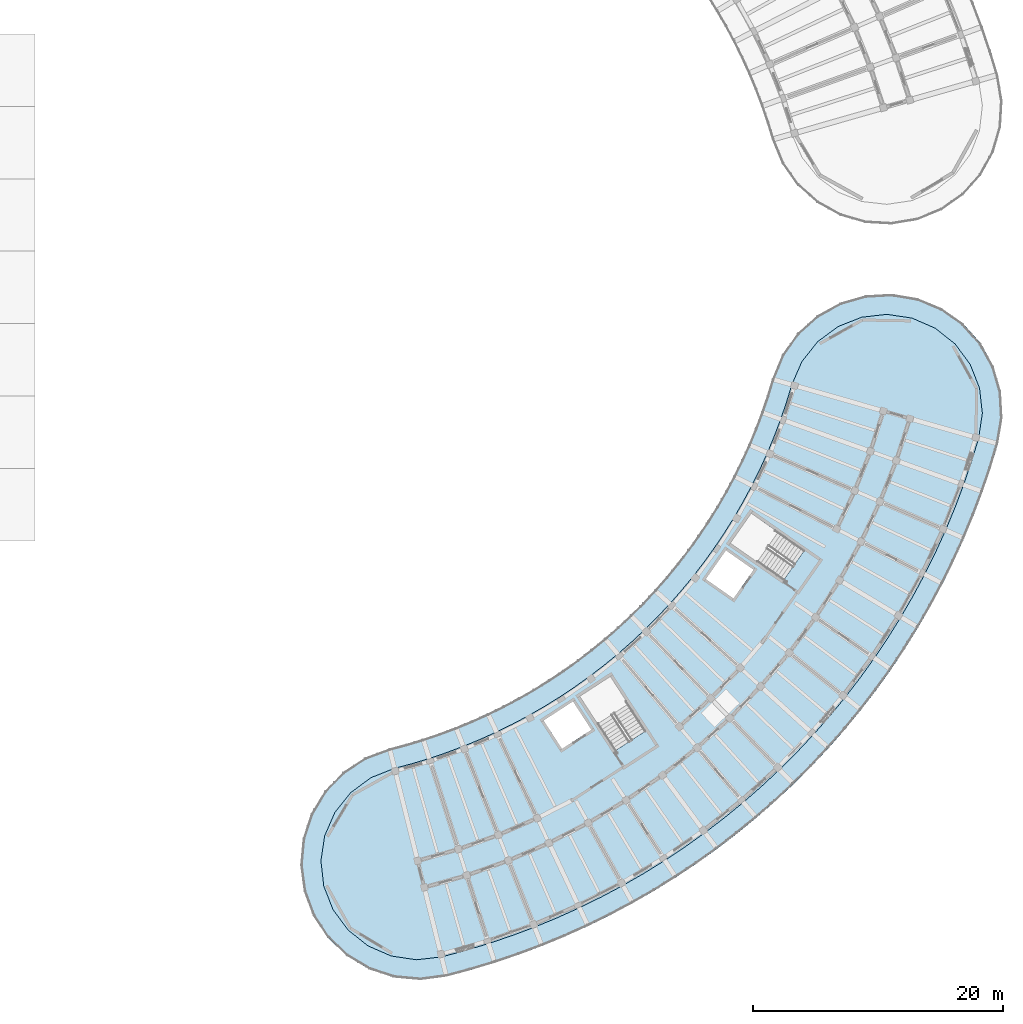
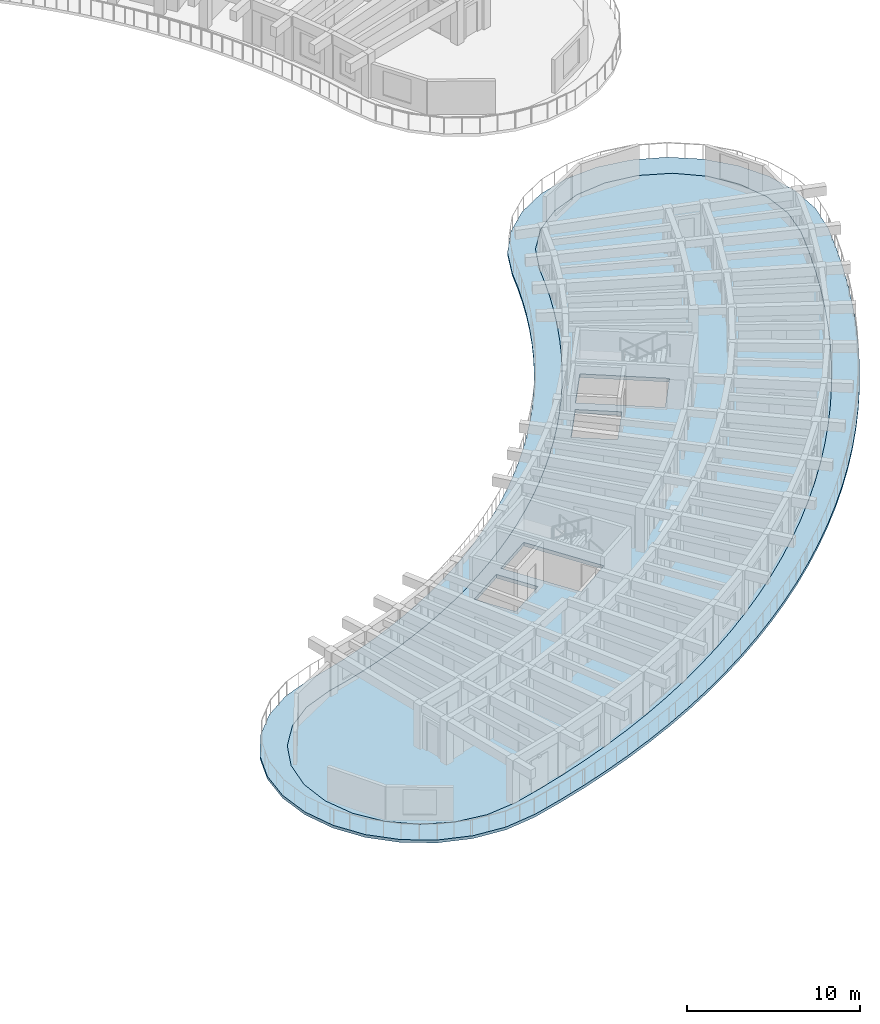
# One storey, part 50 of 96: 2 slabs.
"""IFC4 building model written with IfcOpenShell, lengths in metres."""

import ifcopenshell
import ifcopenshell.guid

model = None  # the IFC model being written
_history = None  # IfcOwnerHistory: only IFC2X3 demands one
_inside = {}  # id of a spatial element -> (the spatial element, [elements in it])
_under = {}  # id of a project, library or spatial element -> (it, [spatial elements below it])
_declared = {}  # id of a project -> (the project, [libraries it declares])
_typed = {}  # id of a type object -> (the type object, [elements of that type])
_made_of = {}  # id of a material, layer set ... -> (it, [elements and type objects made of it])


def new_model(schema):
    """Start an empty IFC model of exactly this schema.

    Asked for "IFC4X3", IfcOpenShell would pick the latest addendum, in which some entities
    have other attributes; the version numbers below select the first issue.
    IFC2X3 requires an IfcOwnerHistory on every rooted entity: one is made here for all.
    """
    global model, _history
    if schema == "IFC4X3":
        model = ifcopenshell.file(schema_version=(4, 3, 0, 0))
    else:
        model = ifcopenshell.file(schema=schema)
    _inside.clear()
    _under.clear()
    _declared.clear()
    _typed.clear()
    _made_of.clear()
    _history = None
    if model.schema == "IFC2X3":
        org = make("IfcOrganization", Name="unknown")
        user = make(
            "IfcPersonAndOrganization",
            ThePerson=make("IfcPerson", FamilyName="unknown"),
            TheOrganization=org,
        )
        app = make(
            "IfcApplication",
            ApplicationDeveloper=org,
            Version="unknown",
            ApplicationFullName="unknown",
            ApplicationIdentifier="unknown",
        )
        _history = make(
            "IfcOwnerHistory",
            OwningUser=user,
            OwningApplication=app,
            ChangeAction="ADDED",
            CreationDate=0,
        )
    return model


def make(cls, **values):
    """One entity of the class cls with the attributes given. An attribute that is None is left unset."""
    return model.create_entity(
        cls, **{name: value for name, value in values.items() if value is not None}
    )


def rooted(cls, **values):
    """An entity with a GlobalId (a new one), such as an element, a storey or a relation."""
    return make(cls, GlobalId=ifcopenshell.guid.new(), OwnerHistory=_history, **values)


def si_unit(unit_type, name, prefix=None):
    """IfcSIUnit, for example si_unit("LENGTHUNIT", "METRE", prefix="MILLI")."""
    return make("IfcSIUnit", UnitType=unit_type, Prefix=prefix, Name=name)


def assignment(units):
    """IfcUnitAssignment: the units of a project."""
    return None if units is None else make("IfcUnitAssignment", Units=units)


def point(xyz):
    """IfcCartesianPoint."""
    return None if xyz is None else make("IfcCartesianPoint", Coordinates=xyz)


def direction(xyz):
    """IfcDirection."""
    return None if xyz is None else make("IfcDirection", DirectionRatios=xyz)


def frame(location, z_axis=None, x_axis=None):
    """IfcAxis2Placement3D, a coordinate frame: its origin and axes. An axis left out is left unset."""
    return make(
        "IfcAxis2Placement3D",
        Location=point(location),
        Axis=direction(z_axis),
        RefDirection=direction(x_axis),
    )


def origin():
    """The frame at (0, 0, 0) with its axes left unset."""
    return frame((0.0, 0.0, 0.0))


def place(relative_to, where):
    """IfcLocalPlacement: puts the frame where relative to a parent placement (None: the world)."""
    return make(
        "IfcLocalPlacement", PlacementRelTo=relative_to, RelativePlacement=where
    )


def context(
    kind, dimensions, precision=None, world=None, true_north=None, identifier=None
):
    """IfcGeometricRepresentationContext, for example the 3D "Model" context."""
    return make(
        "IfcGeometricRepresentationContext",
        ContextIdentifier=identifier,
        ContextType=kind,
        CoordinateSpaceDimension=dimensions,
        Precision=precision,
        WorldCoordinateSystem=world,
        TrueNorth=true_north,
    )


def subcontext(parent, identifier, kind, view, scale=None):
    """IfcGeometricRepresentationSubContext, for example "Body" below "Model"."""
    return make(
        "IfcGeometricRepresentationSubContext",
        ContextIdentifier=identifier,
        ContextType=kind,
        ParentContext=parent,
        TargetScale=scale,
        TargetView=view,
    )


def project(units=None, contexts=None):
    """IfcProject with its units and contexts."""
    return rooted(
        "IfcProject",
        Name="project",
        RepresentationContexts=contexts,
        UnitsInContext=assignment(units),
    )


def spatial(cls, under=None, at=None, **own):
    """A site, building, storey or space (cls), placed at a placement, below another one or the project."""
    s = rooted(cls, ObjectPlacement=at, **own)
    if under is not None:
        _under.setdefault(under.id(), (under, []))[1].append(s)
    return s


def polyline(points):
    """IfcPolyline through the points."""
    return make("IfcPolyline", Points=[point(p) for p in points])


def outline(outer, holes=None, kind="AREA"):
    """IfcArbitraryClosedProfileDef: a profile drawn as a closed curve; with holes, ...WithVoids."""
    if holes is None:
        return make("IfcArbitraryClosedProfileDef", ProfileType=kind, OuterCurve=outer)
    return make(
        "IfcArbitraryProfileDefWithVoids",
        ProfileType=kind,
        OuterCurve=outer,
        InnerCurves=holes,
    )


def extrude(swept, where, along, depth):
    """IfcExtrudedAreaSolid: the profile swept, set in the frame where, extruded along a direction by depth."""
    return make(
        "IfcExtrudedAreaSolid",
        SweptArea=swept,
        Position=where,
        ExtrudedDirection=direction(along),
        Depth=depth,
    )


def shape(context_of_items, identifier, shape_type, items):
    """IfcShapeRepresentation: the items that make up one representation, for example the "Body"."""
    return make(
        "IfcShapeRepresentation",
        ContextOfItems=context_of_items,
        RepresentationIdentifier=identifier,
        RepresentationType=shape_type,
        Items=items,
    )


def material(Name=None, Category=None):
    """IfcMaterial."""
    return make("IfcMaterial", Name=Name, Category=Category)


def layer(
    of_material, thickness, ventilated=None, Name=None, Category=None, Priority=None
):
    """IfcMaterialLayer: one layer of a wall or slab, of a material (None: an air gap)."""
    return make(
        "IfcMaterialLayer",
        Material=of_material,
        LayerThickness=thickness,
        IsVentilated=ventilated,
        Name=Name,
        Category=Category,
        Priority=Priority,
    )


def layer_set(layers, Name=None):
    """IfcMaterialLayerSet."""
    return make("IfcMaterialLayerSet", MaterialLayers=layers, LayerSetName=Name)


def made_of(thing, what):
    """Note that an element or type object is made of a material, layer set ...; save() writes the relation."""
    if what is not None:
        _made_of.setdefault(what.id(), (what, []))[1].append(thing)
    return thing


def type_object(cls, material=None, **own):
    """A type object (cls), such as IfcWallType, which elements share."""
    return made_of(rooted(cls, **own), material)


def element(
    cls,
    number,
    at=None,
    inside=None,
    cuts=None,
    type_object=None,
    material=None,
    context=None,
    identifier="Body",
    shape_type=None,
    held_by="IfcProductDefinitionShape",
    body=None,
    shapes=None,
    **own,
):
    """One element of the class cls, such as IfcWall. Its Tag is "e" and its number.

    at: its placement. inside: the storey or other place that contains it. cuts: it is an
    opening in that element (IfcRelVoidsElement). A single representation is given by context,
    identifier, shape_type and body (its items); several are given by shapes. held_by: the class
    of the entity that holds the representations. save() writes the other relations.
    """
    e = rooted(cls, Tag="e%d" % number, ObjectPlacement=at, **own)
    if body is not None:
        shapes = [shape(context, identifier, shape_type, body)]
    if shapes is not None:
        e.Representation = make(held_by, Representations=shapes)
    if inside is not None:
        _inside.setdefault(inside.id(), (inside, []))[1].append(e)
    if cuts is not None:
        rooted(
            "IfcRelVoidsElement", RelatingBuildingElement=cuts, RelatedOpeningElement=e
        )
    if type_object is not None:
        _typed.setdefault(type_object.id(), (type_object, []))[1].append(e)
    return made_of(e, material)


def aggregate(whole, parts):
    """IfcRelAggregates: a whole, such as a stair, and the parts it consists of."""
    return rooted("IfcRelAggregates", RelatingObject=whole, RelatedObjects=parts)


def save(model, path):
    """Write the relations noted so far, then the file.

    IfcRelAggregates (storeys below a building ...), IfcRelContainedInSpatialStructure (elements
    in a storey), IfcRelDefinesByType, IfcRelAssociatesMaterial and IfcRelDeclares: one each for
    every whole, place, type object, material and project.
    """
    for whole, parts in _under.values():
        aggregate(whole, parts)
    for where, things in _inside.values():
        rooted(
            "IfcRelContainedInSpatialStructure",
            RelatedElements=things,
            RelatingStructure=where,
        )
    for kind, things in _typed.values():
        rooted("IfcRelDefinesByType", RelatedObjects=things, RelatingType=kind)
    for what, things in _made_of.values():
        rooted("IfcRelAssociatesMaterial", RelatedObjects=things, RelatingMaterial=what)
    for by, libraries in _declared.values():
        rooted("IfcRelDeclares", RelatingContext=by, RelatedDefinitions=libraries)
    model.write(path)


model = new_model("IFC4")

# Units and contexts
model_context = context("Model", 3, precision=1e-05, world=origin(), true_north=direction((0.0, 1.0)))
body_context = subcontext(model_context, "Body", "Model", "MODEL_VIEW")
ifc_project = project(units=[si_unit("LENGTHUNIT", "METRE"), si_unit("AREAUNIT", "SQUARE_METRE"), si_unit("VOLUMEUNIT", "CUBIC_METRE"), si_unit("PLANEANGLEUNIT", "RADIAN"), si_unit("MASSUNIT", "GRAM", prefix="KILO")], contexts=[model_context])

# Site, building, storey
site_placement = place(None, origin())
site = spatial("IfcSite", under=ifc_project, at=site_placement, CompositionType="ELEMENT")
building_placement = place(site_placement, origin())
building = spatial("IfcBuilding", under=site, at=building_placement, Name="Tanwirah Colonnade Gardens", CompositionType="ELEMENT")
storey_placement = place(building_placement, frame((0.0, 0.0, 12.199951171875)))
storey = spatial("IfcBuildingStorey", under=building, at=storey_placement, Name="L03", CompositionType="ELEMENT", Elevation=12.199951171875)

# Slabs
ifc_material_1 = material(Name="White architectural precast concrete C40/50", Category="concrete")
ifc_layer_1 = layer(ifc_material_1, 0.199951171875)
ifc_layer_set_1 = layer_set([ifc_layer_1], Name="White architectural precast concrete C40/50")
slab_type_1 = type_object("IfcSlabType", Name="SL-BAL-200", PredefinedType="FLOOR", material=ifc_layer_set_1)
slab_1_placement = place(storey_placement, frame((0.0, 0.0, -0.199951171875)))
element("IfcSlab", 1, at=slab_1_placement, inside=storey, type_object=slab_type_1, Name="Block D L03 Continuous White Balcony Ribbon", PredefinedType="FLOOR", context=body_context, shape_type="SweptSolid", body=[
    extrude(outline(polyline([(129.333251953125, 22.4306640625), (127.57373046875, 21.275390625), (126.115234375, 19.757568359375), (125.03125, 17.953369140625), (124.375732421875, 15.953125), (124.181884765625, 13.857177734375), (124.459228515625, 11.7705078125), (125.19384765625, 9.798095703125), (126.34912109375, 8.038330078125), (127.866943359375, 6.580078125), (129.671142578125, 5.495849609375), (131.67138671875, 4.84033203125), (133.767333984375, 4.646484375), (135.85400390625, 4.923828125), (137.79541015625, 5.441650390625), (139.71875, 6.02294921875), (141.6220703125, 6.666748046875), (143.503173828125, 7.372314453125), (145.3603515625, 8.13916015625), (147.19140625, 8.966552734375), (148.994384765625, 9.85302734375), (150.767333984375, 10.79833984375), (152.508544921875, 11.801025390625), (154.2158203125, 12.860107421875), (155.8876953125, 13.974609375), (157.522216796875, 15.143310546875), (159.117431640625, 16.364501953125), (160.672119140625, 17.637451171875), (162.18408203125, 18.960693359375), (163.652099609375, 20.33251953125), (165.07421875, 21.751708984375), (166.449462890625, 23.216796875), (167.77587890625, 24.725830078125), (169.05224609375, 26.277587890625), (170.277099609375, 27.870361328125), (171.44921875, 29.502197265625), (172.567138671875, 31.171630859375), (173.630126953125, 32.876708984375), (174.636474609375, 34.61572265625), (175.585693359375, 36.386474609375), (176.476318359375, 38.1875), (177.307373046875, 40.016845703125), (178.078369140625, 41.872314453125), (178.7880859375, 43.751953125), (179.43603515625, 45.65380859375), (180.021484375, 47.575927734375), (180.37158203125, 49.651611328125), (180.250732421875, 51.7529296875), (179.66552734375, 53.77490234375), (178.64501953125, 55.615966796875), (177.240478515625, 57.18359375), (175.522216796875, 58.399658203125), (173.57666015625, 59.20263671875), (171.5009765625, 59.552734375), (169.3994140625, 59.43212890625), (167.37744140625, 58.846923828125), (165.53662109375, 57.826416015625), (163.96875, 56.421875), (162.7529296875, 54.70361328125), (161.94970703125, 52.7578125), (161.543701171875, 51.42431640625), (161.093994140625, 50.104736328125), (160.6015625, 48.800537109375), (160.066650390625, 47.51318359375), (159.489990234375, 46.244140625), (158.8720703125, 44.99462890625), (158.213623046875, 43.765869140625), (157.515380859375, 42.559326171875), (156.77783203125, 41.37646484375), (156.002197265625, 40.218017578125), (155.18896484375, 39.0859375), (154.339111328125, 37.98095703125), (153.45361328125, 36.904296875), (152.533203125, 35.857177734375), (151.579345703125, 34.8408203125), (150.592529296875, 33.856201171875), (149.573974609375, 32.904296875), (148.52490234375, 31.986328125), (147.4462890625, 31.10302734375), (146.33935546875, 30.255615234375), (145.205322265625, 29.445068359375), (144.04541015625, 28.671630859375), (142.86083984375, 27.93701171875), (141.65283203125, 27.2412109375), (140.4228515625, 26.58544921875), (139.171875, 25.97021484375), (137.9013671875, 25.396240234375), (136.613037109375, 24.8642578125), (135.307861328125, 24.37451171875), (133.9873046875, 23.927978515625), (132.65283203125, 23.524658203125), (131.305908203125, 23.165283203125), (129.333251953125, 22.4306640625)]), holes=[polyline([(129.80810546875, 20.84912109375), (131.69921875, 21.593994140625), (133.095703125, 21.966552734375), (133.09619140625, 21.966552734375), (134.480712890625, 22.385009765625), (134.4814453125, 22.38525390625), (135.8515625, 22.8486328125), (135.85205078125, 22.848876953125), (137.206298828125, 23.35693359375), (137.20703125, 23.357177734375), (138.5439453125, 23.9091796875), (138.54443359375, 23.909423828125), (139.862548828125, 24.5048828125), (139.86328125, 24.505126953125), (141.1611328125, 25.1435546875), (141.16162109375, 25.143798828125), (142.43798828125, 25.82421875), (142.4384765625, 25.824462890625), (143.69189453125, 26.54638671875), (143.692626953125, 26.546630859375), (144.921630859375, 27.30908203125), (144.922119140625, 27.309326171875), (146.125732421875, 28.111572265625), (146.126220703125, 28.112060546875), (147.302734375, 28.953369140625), (147.30322265625, 28.95361328125), (148.45166015625, 29.8330078125), (148.452392578125, 29.833251953125), (149.5712890625, 30.749755859375), (149.57177734375, 30.75), (150.660400390625, 31.70263671875), (150.660888671875, 31.702880859375), (151.717529296875, 32.690673828125), (151.718017578125, 32.69091796875), (152.741943359375, 33.712646484375), (152.742431640625, 33.713134765625), (153.732177734375, 34.767578125), (153.732666015625, 34.76806640625), (154.6875, 35.8544921875), (154.68798828125, 35.85498046875), (155.606689453125, 36.97216796875), (155.607177734375, 36.97265625), (156.48876953125, 38.119140625), (156.4892578125, 38.11962890625), (157.3330078125, 39.29443359375), (157.33349609375, 39.294921875), (158.13818359375, 40.496826171875), (158.138671875, 40.497314453125), (158.90380859375, 41.724853515625), (158.904052734375, 41.725341796875), (159.628662109375, 42.97705078125), (159.62890625, 42.977783203125), (160.312255859375, 44.25244140625), (160.3125, 44.253173828125), (160.95361328125, 45.549560546875), (160.953857421875, 45.55029296875), (161.55224609375, 46.866943359375), (161.552490234375, 46.86767578125), (162.107421875, 48.203369140625), (162.107666015625, 48.203857421875), (162.61865234375, 49.55712890625), (162.618896484375, 49.5576171875), (163.08544921875, 50.9267578125), (163.08544921875, 50.92724609375), (163.506591796875, 52.309814453125), (164.31689453125, 54.173828125), (165.581298828125, 55.76318359375), (167.2138671875, 56.97119140625), (169.103515625, 57.715576171875), (171.121337890625, 57.945556640625), (173.130126953125, 57.645263671875), (174.992431640625, 56.83544921875), (176.58203125, 55.5712890625), (177.7900390625, 53.9384765625), (178.534423828125, 52.049072265625), (178.76416015625, 50.031005859375), (178.4638671875, 48.021240234375), (177.894287109375, 46.151123046875), (177.263427734375, 44.29931640625), (176.572509765625, 42.46923828125), (175.82177734375, 40.662841796875), (175.012451171875, 38.8818359375), (174.1455078125, 37.12841796875), (173.221435546875, 35.404052734375), (172.241455078125, 33.7109375), (171.20654296875, 32.051025390625), (170.1181640625, 30.425537109375), (168.976806640625, 28.836669921875), (167.784423828125, 27.2861328125), (166.541748046875, 25.775146484375), (165.250244140625, 24.305908203125), (163.911376953125, 22.879638671875), (162.526611328125, 21.497802734375), (161.097412109375, 20.162109375), (159.625244140625, 18.8740234375), (158.11181640625, 17.634521484375), (156.55859375, 16.445556640625), (154.96728515625, 15.3076171875), (153.33935546875, 14.22265625), (151.677001953125, 13.19140625), (149.98193359375, 12.21533203125), (148.255615234375, 11.294921875), (146.500244140625, 10.431640625), (144.717529296875, 9.626220703125), (142.909423828125, 8.879638671875), (141.077880859375, 8.192626953125), (139.224853515625, 7.565673828125), (137.352294921875, 7.0), (135.463134765625, 6.49609375), (133.444091796875, 6.265869140625), (131.435546875, 6.566162109375), (129.572998046875, 7.3759765625), (127.983642578125, 8.640380859375), (126.775634765625, 10.27294921875), (126.03125, 12.16259765625), (125.80126953125, 14.180419921875), (126.1015625, 16.18896484375), (126.911376953125, 18.051513671875), (128.175537109375, 19.640869140625), (129.80810546875, 20.84912109375)])]), origin(), (0.0, 0.0, 1.0), 0.199951171875),
])
ifc_material_2 = material(Name="Precast concrete C40/50", Category="concrete")
ifc_layer_2 = layer(ifc_material_2, 0.2548828125)
ifc_layer_set_2 = layer_set([ifc_layer_2], Name="Precast concrete C40/50")
slab_type_2 = type_object("IfcSlabType", Name="SL-RES-255", PredefinedType="FLOOR", material=ifc_layer_set_2)
slab_2_placement = place(storey_placement, frame((0.0, 0.0, -0.2548828125)))
element("IfcSlab", 2, at=slab_2_placement, inside=storey, type_object=slab_type_2, Name="Block D L03 Precast Composite Floor Slab", PredefinedType="FLOOR", context=body_context, shape_type="SweptSolid", body=[
    extrude(outline(polyline([(134.47509765625, 22.404052734375), (133.09033203125, 21.98583984375), (131.69287109375, 21.613037109375), (129.79833984375, 20.86669921875), (128.16162109375, 19.655517578125), (126.89404296875, 18.06201171875), (126.08203125, 16.194580078125), (125.781005859375, 14.1806640625), (126.01171875, 12.15771484375), (126.7578125, 10.26318359375), (127.968994140625, 8.626220703125), (129.562744140625, 7.358642578125), (131.429931640625, 6.546875), (133.44384765625, 6.245849609375), (135.467041015625, 6.476318359375), (137.357666015625, 6.980712890625), (139.23095703125, 7.546630859375), (141.08447265625, 8.173828125), (142.916748046875, 8.861083984375), (144.7255859375, 9.60791015625), (146.5087890625, 10.41357421875), (148.264892578125, 11.277099609375), (149.99169921875, 12.19775390625), (151.687255859375, 13.17431640625), (153.350341796875, 14.205810546875), (154.978515625, 15.291259765625), (156.5703125, 16.429443359375), (158.124267578125, 17.618896484375), (159.63818359375, 18.858642578125), (161.11083984375, 20.1474609375), (162.54052734375, 21.4833984375), (163.92578125, 22.86572265625), (165.26513671875, 24.29248046875), (166.556884765625, 25.76220703125), (167.800048828125, 27.273681640625), (168.992919921875, 28.82470703125), (170.134521484375, 30.414306640625), (171.223388671875, 32.0400390625), (172.258544921875, 33.70068359375), (173.23876953125, 35.394287109375), (174.163330078125, 37.119140625), (175.030517578125, 38.873291015625), (175.840087890625, 40.65478515625), (176.591064453125, 42.4619140625), (177.2822265625, 44.29248046875), (177.913330078125, 46.14501953125), (178.4833984375, 48.016845703125), (178.784423828125, 50.03076171875), (178.553955078125, 52.053955078125), (177.8076171875, 53.948486328125), (176.596435546875, 55.585205078125), (175.0029296875, 56.852783203125), (173.135498046875, 57.664794921875), (171.121826171875, 57.965576171875), (169.0986328125, 57.735107421875), (167.2041015625, 56.98876953125), (165.5673828125, 55.777587890625), (164.2998046875, 54.18408203125), (163.48779296875, 52.31689453125), (163.06640625, 50.93310546875), (162.60009765625, 49.56396484375), (162.089111328125, 48.2109375), (161.533935546875, 46.875244140625), (160.935791015625, 45.55859375), (160.294677734375, 44.261962890625), (159.611328125, 42.987060546875), (158.88671875, 41.7353515625), (158.12158203125, 40.5078125), (157.31689453125, 39.30615234375), (156.47314453125, 38.13134765625), (155.59130859375, 36.98486328125), (154.672607421875, 35.86767578125), (153.717529296875, 34.781494140625), (152.727783203125, 33.726806640625), (151.703857421875, 32.705078125), (150.647216796875, 31.717529296875), (149.55859375, 30.76513671875), (148.439697265625, 29.848876953125), (147.291259765625, 28.969482421875), (146.114501953125, 28.12841796875), (144.9111328125, 27.326171875), (143.681884765625, 26.563720703125), (142.428466796875, 25.841796875), (141.15234375, 25.161376953125), (139.854248046875, 24.523193359375), (138.5361328125, 23.927490234375), (137.199462890625, 23.37548828125), (135.84521484375, 22.867431640625), (134.47509765625, 22.404052734375)]), holes=[polyline([(149.358642578125, 23.003662109375), (146.528076171875, 27.3623046875), (148.971923828125, 28.94921875), (151.802490234375, 24.5908203125), (149.358642578125, 23.003662109375)]), polyline([(143.63427734375, 25.42333984375), (145.982666015625, 26.9482421875), (147.453125, 24.683837890625), (145.104736328125, 23.158935546875), (143.63427734375, 25.42333984375)]), polyline([(160.252685546875, 42.016357421875), (164.509765625, 39.03564453125), (162.83837890625, 36.648681640625), (158.581298828125, 39.62939453125), (160.252685546875, 42.016357421875)]), polyline([(160.442138671875, 37.49267578125), (158.836181640625, 35.198974609375), (156.62451171875, 36.74755859375), (158.23046875, 39.041259765625), (160.442138671875, 37.49267578125)])]), origin(), (0.0, 0.0, 1.0), 0.2548828125),
])

save(model, "model.ifc")
